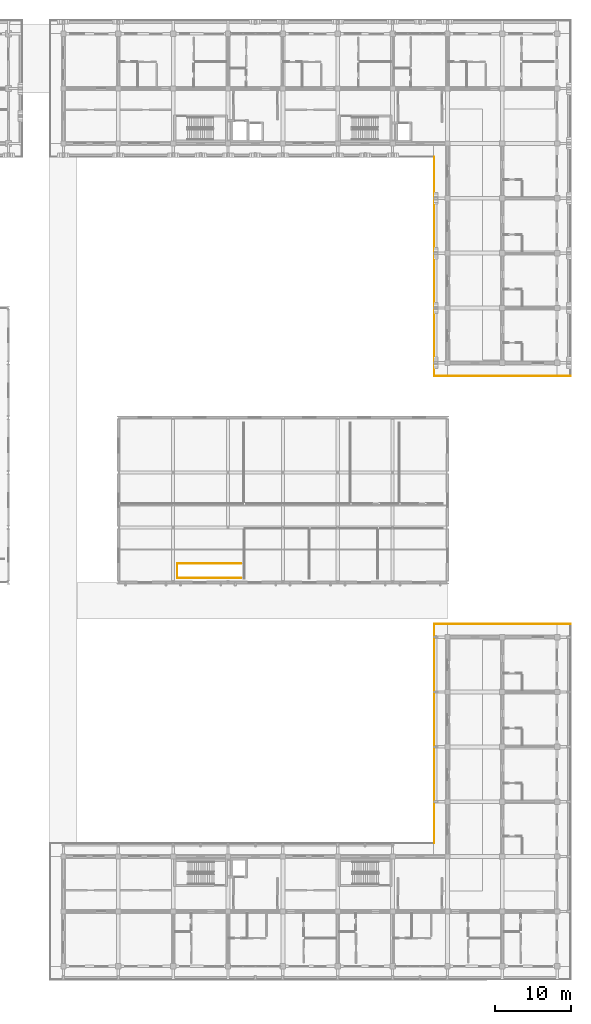
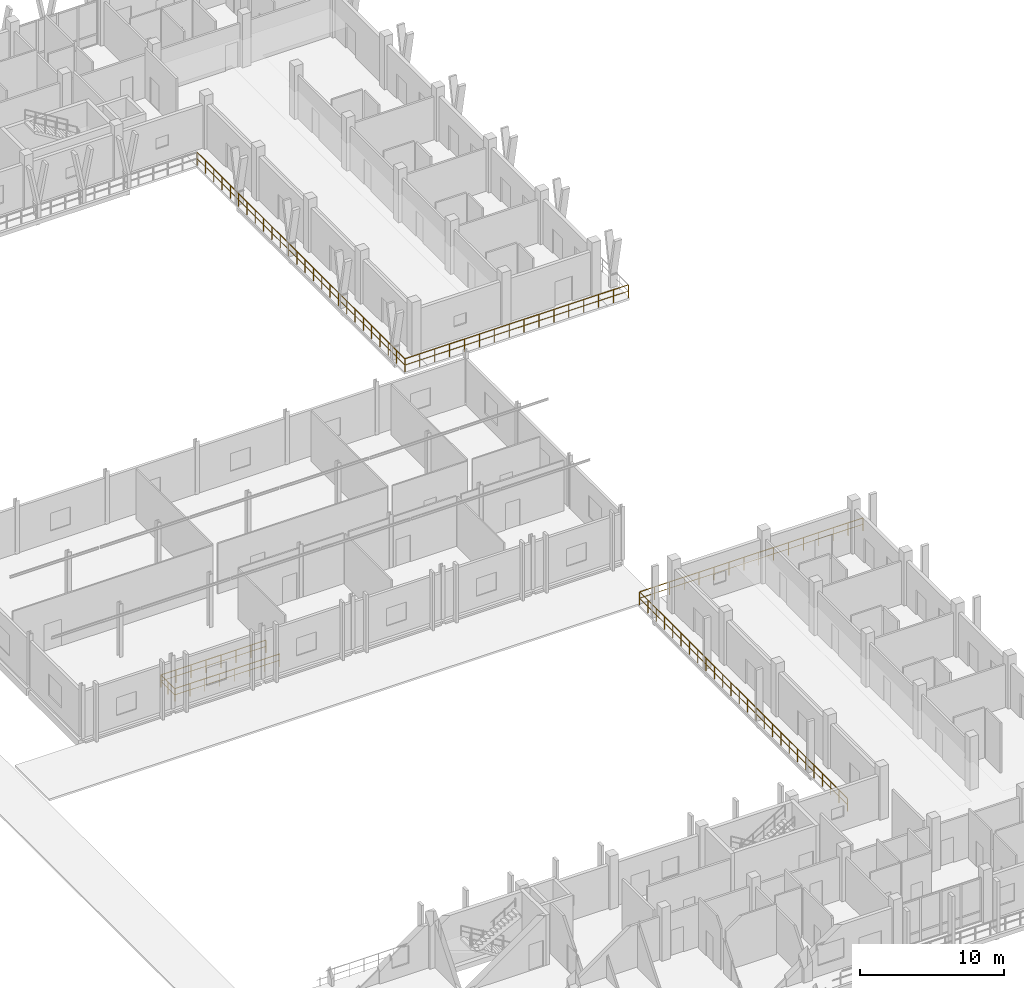
# One storey, part 107 of 110: 7 railings.
"""IFC4 building model written with IfcOpenShell, lengths in metres."""

from ifc_helpers import new_model, si_unit, direction, frame, origin, origin_2d, place, context, subcontext, project, spatial, rectangle, extrude, material, type_object, element, save


model = new_model("IFC4")

# Units and contexts
model_context = context("Model", 3, precision=1e-05, world=origin(), true_north=direction((0.0, 1.0)))
body_context = subcontext(model_context, "Body", "Model", "MODEL_VIEW")
ifc_project = project(units=[si_unit("LENGTHUNIT", "METRE"), si_unit("AREAUNIT", "SQUARE_METRE"), si_unit("VOLUMEUNIT", "CUBIC_METRE"), si_unit("PLANEANGLEUNIT", "RADIAN"), si_unit("MASSUNIT", "GRAM", prefix="KILO")], contexts=[model_context])

# Site, building, storey
site_placement = place(None, origin())
site = spatial("IfcSite", under=ifc_project, at=site_placement, CompositionType="ELEMENT")
building_placement = place(site_placement, origin())
building = spatial("IfcBuilding", under=site, at=building_placement, Name="Suanplinth Sawtooth Commons", CompositionType="ELEMENT")
storey_placement = place(building_placement, frame((0.0, 0.0, 4.5)))
storey = spatial("IfcBuildingStorey", under=building, at=storey_placement, Name="L01", CompositionType="ELEMENT", Elevation=4.5)

# Railings
ifc_material_1 = material(Name="Powder-coated galvanized steel", Category="steel")
railing_type_1 = type_object("IfcRailingType", Name="GR-01", PredefinedType="BALUSTRADE", material=ifc_material_1)
railing_1_placement = place(storey_placement, frame((171.06005859375, 77.4599609375, 0.0)))
element("IfcRailing", 1, at=railing_1_placement, inside=storey, type_object=railing_type_1, Name="L01 Block B Perimeter Balustrade 1", PredefinedType="BALUSTRADE", context=body_context, shape_type="SweptSolid", body=[
    extrude(rectangle(XDim=0.048095703125, YDim=0.048095703125, at=origin_2d()), frame((0.0, 0.0, 1.09619140625), z_axis=(0.0, 1.0, 0.0), x_axis=(-1.0, 0.0, 0.0)), (0.0, 0.0, 1.0), 28.800048828125),
    extrude(rectangle(XDim=0.03369140625, YDim=0.03369140625, at=origin_2d()), frame((0.0, 0.0, 0.56005859375), z_axis=(0.0, 1.0, 0.0), x_axis=(-1.0, 0.0, 0.0)), (0.0, 0.0, 1.0), 28.800048828125),
    extrude(rectangle(XDim=0.0419921875, YDim=0.0419921875, at=origin_2d()), origin(), (0.0, 0.0, 1.0), 1.072021484375),
    extrude(rectangle(XDim=0.0419921875, YDim=0.0419921875, at=origin_2d()), frame((0.0, 1.152099609375, 0.0)), (0.0, 0.0, 1.0), 1.072021484375),
    extrude(rectangle(XDim=0.0419921875, YDim=0.0419921875, at=origin_2d()), frame((0.0, 2.303955078125, 0.0)), (0.0, 0.0, 1.0), 1.072021484375),
    extrude(rectangle(XDim=0.0419921875, YDim=0.0419921875, at=origin_2d()), frame((0.0, 3.4560546875, 0.0)), (0.0, 0.0, 1.0), 1.072021484375),
    extrude(rectangle(XDim=0.0419921875, YDim=0.0419921875, at=origin_2d()), frame((0.0, 4.60791015625, 0.0)), (0.0, 0.0, 1.0), 1.072021484375),
    extrude(rectangle(XDim=0.0419921875, YDim=0.0419921875, at=origin_2d()), frame((0.0, 5.760009765625, 0.0)), (0.0, 0.0, 1.0), 1.072021484375),
    extrude(rectangle(XDim=0.0419921875, YDim=0.0419921875, at=origin_2d()), frame((0.0, 6.912109375, 0.0)), (0.0, 0.0, 1.0), 1.072021484375),
    extrude(rectangle(XDim=0.0419921875, YDim=0.0419921875, at=origin_2d()), frame((0.0, 8.06396484375, 0.0)), (0.0, 0.0, 1.0), 1.072021484375),
    extrude(rectangle(XDim=0.0419921875, YDim=0.0419921875, at=origin_2d()), frame((0.0, 9.216064453125, 0.0)), (0.0, 0.0, 1.0), 1.072021484375),
    extrude(rectangle(XDim=0.0419921875, YDim=0.0419921875, at=origin_2d()), frame((0.0, 10.367919921875, 0.0)), (0.0, 0.0, 1.0), 1.072021484375),
    extrude(rectangle(XDim=0.0419921875, YDim=0.0419921875, at=origin_2d()), frame((0.0, 11.52001953125, 0.0)), (0.0, 0.0, 1.0), 1.072021484375),
    extrude(rectangle(XDim=0.0419921875, YDim=0.0419921875, at=origin_2d()), frame((0.0, 12.672119140625, 0.0)), (0.0, 0.0, 1.0), 1.072021484375),
    extrude(rectangle(XDim=0.0419921875, YDim=0.0419921875, at=origin_2d()), frame((0.0, 13.823974609375, 0.0)), (0.0, 0.0, 1.0), 1.072021484375),
    extrude(rectangle(XDim=0.0419921875, YDim=0.0419921875, at=origin_2d()), frame((0.0, 14.97607421875, 0.0)), (0.0, 0.0, 1.0), 1.072021484375),
    extrude(rectangle(XDim=0.0419921875, YDim=0.0419921875, at=origin_2d()), frame((0.0, 16.1279296875, 0.0)), (0.0, 0.0, 1.0), 1.072021484375),
    extrude(rectangle(XDim=0.0419921875, YDim=0.0419921875, at=origin_2d()), frame((0.0, 17.280029296875, 0.0)), (0.0, 0.0, 1.0), 1.072021484375),
    extrude(rectangle(XDim=0.0419921875, YDim=0.0419921875, at=origin_2d()), frame((0.0, 18.43212890625, 0.0)), (0.0, 0.0, 1.0), 1.072021484375),
    extrude(rectangle(XDim=0.0419921875, YDim=0.0419921875, at=origin_2d()), frame((0.0, 19.583984375, 0.0)), (0.0, 0.0, 1.0), 1.072021484375),
    extrude(rectangle(XDim=0.0419921875, YDim=0.0419921875, at=origin_2d()), frame((0.0, 20.736083984375, 0.0)), (0.0, 0.0, 1.0), 1.072021484375),
    extrude(rectangle(XDim=0.0419921875, YDim=0.0419921875, at=origin_2d()), frame((0.0, 21.887939453125, 0.0)), (0.0, 0.0, 1.0), 1.072021484375),
    extrude(rectangle(XDim=0.0419921875, YDim=0.0419921875, at=origin_2d()), frame((0.0, 23.0400390625, 0.0)), (0.0, 0.0, 1.0), 1.072021484375),
    extrude(rectangle(XDim=0.0419921875, YDim=0.0419921875, at=origin_2d()), frame((0.0, 24.192138671875, 0.0)), (0.0, 0.0, 1.0), 1.072021484375),
    extrude(rectangle(XDim=0.0419921875, YDim=0.0419921875, at=origin_2d()), frame((0.0, 25.343994140625, 0.0)), (0.0, 0.0, 1.0), 1.072021484375),
    extrude(rectangle(XDim=0.0419921875, YDim=0.0419921875, at=origin_2d()), frame((0.0, 26.49609375, 0.0)), (0.0, 0.0, 1.0), 1.072021484375),
    extrude(rectangle(XDim=0.0419921875, YDim=0.0419921875, at=origin_2d()), frame((0.0, 27.64794921875, 0.0)), (0.0, 0.0, 1.0), 1.072021484375),
    extrude(rectangle(XDim=0.0419921875, YDim=0.0419921875, at=origin_2d()), frame((0.0, 28.800048828125, 0.0)), (0.0, 0.0, 1.0), 1.072021484375),
])
railing_2_placement = place(storey_placement, frame((188.93994140625, 77.4599609375, 0.0)))
element("IfcRailing", 2, at=railing_2_placement, inside=storey, type_object=railing_type_1, Name="L01 Block B Perimeter Balustrade 6", PredefinedType="BALUSTRADE", context=body_context, shape_type="SweptSolid", body=[
    extrude(rectangle(XDim=0.048095703125, YDim=0.048095703125, at=origin_2d()), frame((0.0, 0.0, 1.09619140625), z_axis=(-1.0, 0.0, 0.0), x_axis=(0.0, -1.0, 0.0)), (0.0, 0.0, 1.0), 17.8798828125),
    extrude(rectangle(XDim=0.03369140625, YDim=0.03369140625, at=origin_2d()), frame((0.0, 0.0, 0.56005859375), z_axis=(-1.0, 0.0, 0.0), x_axis=(0.0, -1.0, 0.0)), (0.0, 0.0, 1.0), 17.8798828125),
    extrude(rectangle(XDim=0.0419921875, YDim=0.0419921875, at=origin_2d()), origin(), (0.0, 0.0, 1.0), 1.072021484375),
    extrude(rectangle(XDim=0.0419921875, YDim=0.0419921875, at=origin_2d()), frame((-1.19189453125, 0.0, 0.0)), (0.0, 0.0, 1.0), 1.072021484375),
    extrude(rectangle(XDim=0.0419921875, YDim=0.0419921875, at=origin_2d()), frame((-2.384033203125, 0.0, 0.0)), (0.0, 0.0, 1.0), 1.072021484375),
    extrude(rectangle(XDim=0.0419921875, YDim=0.0419921875, at=origin_2d()), frame((-3.575927734375, 0.0, 0.0)), (0.0, 0.0, 1.0), 1.072021484375),
    extrude(rectangle(XDim=0.0419921875, YDim=0.0419921875, at=origin_2d()), frame((-4.76806640625, 0.0, 0.0)), (0.0, 0.0, 1.0), 1.072021484375),
    extrude(rectangle(XDim=0.0419921875, YDim=0.0419921875, at=origin_2d()), frame((-5.9599609375, 0.0, 0.0)), (0.0, 0.0, 1.0), 1.072021484375),
    extrude(rectangle(XDim=0.0419921875, YDim=0.0419921875, at=origin_2d()), frame((-7.15185546875, 0.0, 0.0)), (0.0, 0.0, 1.0), 1.072021484375),
    extrude(rectangle(XDim=0.0419921875, YDim=0.0419921875, at=origin_2d()), frame((-8.343994140625, 0.0, 0.0)), (0.0, 0.0, 1.0), 1.072021484375),
    extrude(rectangle(XDim=0.0419921875, YDim=0.0419921875, at=origin_2d()), frame((-9.535888671875, 0.0, 0.0)), (0.0, 0.0, 1.0), 1.072021484375),
    extrude(rectangle(XDim=0.0419921875, YDim=0.0419921875, at=origin_2d()), frame((-10.72802734375, 0.0, 0.0)), (0.0, 0.0, 1.0), 1.072021484375),
    extrude(rectangle(XDim=0.0419921875, YDim=0.0419921875, at=origin_2d()), frame((-11.919921875, 0.0, 0.0)), (0.0, 0.0, 1.0), 1.072021484375),
    extrude(rectangle(XDim=0.0419921875, YDim=0.0419921875, at=origin_2d()), frame((-13.11181640625, 0.0, 0.0)), (0.0, 0.0, 1.0), 1.072021484375),
    extrude(rectangle(XDim=0.0419921875, YDim=0.0419921875, at=origin_2d()), frame((-14.303955078125, 0.0, 0.0)), (0.0, 0.0, 1.0), 1.072021484375),
    extrude(rectangle(XDim=0.0419921875, YDim=0.0419921875, at=origin_2d()), frame((-15.495849609375, 0.0, 0.0)), (0.0, 0.0, 1.0), 1.072021484375),
    extrude(rectangle(XDim=0.0419921875, YDim=0.0419921875, at=origin_2d()), frame((-16.68798828125, 0.0, 0.0)), (0.0, 0.0, 1.0), 1.072021484375),
    extrude(rectangle(XDim=0.0419921875, YDim=0.0419921875, at=origin_2d()), frame((-17.8798828125, 0.0, 0.0)), (0.0, 0.0, 1.0), 1.072021484375),
])
railing_3_placement = place(storey_placement, frame((171.06005859375, 16.139892578125, 0.0)))
element("IfcRailing", 3, at=railing_3_placement, inside=storey, type_object=railing_type_1, Name="L01 Block C Perimeter Balustrade 3", PredefinedType="BALUSTRADE", context=body_context, shape_type="SweptSolid", body=[
    extrude(rectangle(XDim=0.048095703125, YDim=0.048095703125, at=origin_2d()), frame((0.0, 0.0, 1.09619140625), z_axis=(0.0, 1.0, 0.0), x_axis=(-1.0, 0.0, 0.0)), (0.0, 0.0, 1.0), 28.800048828125),
    extrude(rectangle(XDim=0.03369140625, YDim=0.03369140625, at=origin_2d()), frame((0.0, 0.0, 0.56005859375), z_axis=(0.0, 1.0, 0.0), x_axis=(-1.0, 0.0, 0.0)), (0.0, 0.0, 1.0), 28.800048828125),
    extrude(rectangle(XDim=0.0419921875, YDim=0.0419921875, at=origin_2d()), origin(), (0.0, 0.0, 1.0), 1.072021484375),
    extrude(rectangle(XDim=0.0419921875, YDim=0.0419921875, at=origin_2d()), frame((0.0, 1.152099609375, 0.0)), (0.0, 0.0, 1.0), 1.072021484375),
    extrude(rectangle(XDim=0.0419921875, YDim=0.0419921875, at=origin_2d()), frame((0.0, 2.303955078125, 0.0)), (0.0, 0.0, 1.0), 1.072021484375),
    extrude(rectangle(XDim=0.0419921875, YDim=0.0419921875, at=origin_2d()), frame((0.0, 3.4560546875, 0.0)), (0.0, 0.0, 1.0), 1.072021484375),
    extrude(rectangle(XDim=0.0419921875, YDim=0.0419921875, at=origin_2d()), frame((0.0, 4.60791015625, 0.0)), (0.0, 0.0, 1.0), 1.072021484375),
    extrude(rectangle(XDim=0.0419921875, YDim=0.0419921875, at=origin_2d()), frame((0.0, 5.760009765625, 0.0)), (0.0, 0.0, 1.0), 1.072021484375),
    extrude(rectangle(XDim=0.0419921875, YDim=0.0419921875, at=origin_2d()), frame((0.0, 6.912109375, 0.0)), (0.0, 0.0, 1.0), 1.072021484375),
    extrude(rectangle(XDim=0.0419921875, YDim=0.0419921875, at=origin_2d()), frame((0.0, 8.06396484375, 0.0)), (0.0, 0.0, 1.0), 1.072021484375),
    extrude(rectangle(XDim=0.0419921875, YDim=0.0419921875, at=origin_2d()), frame((0.0, 9.216064453125, 0.0)), (0.0, 0.0, 1.0), 1.072021484375),
    extrude(rectangle(XDim=0.0419921875, YDim=0.0419921875, at=origin_2d()), frame((0.0, 10.367919921875, 0.0)), (0.0, 0.0, 1.0), 1.072021484375),
    extrude(rectangle(XDim=0.0419921875, YDim=0.0419921875, at=origin_2d()), frame((0.0, 11.52001953125, 0.0)), (0.0, 0.0, 1.0), 1.072021484375),
    extrude(rectangle(XDim=0.0419921875, YDim=0.0419921875, at=origin_2d()), frame((0.0, 12.672119140625, 0.0)), (0.0, 0.0, 1.0), 1.072021484375),
    extrude(rectangle(XDim=0.0419921875, YDim=0.0419921875, at=origin_2d()), frame((0.0, 13.823974609375, 0.0)), (0.0, 0.0, 1.0), 1.072021484375),
    extrude(rectangle(XDim=0.0419921875, YDim=0.0419921875, at=origin_2d()), frame((0.0, 14.97607421875, 0.0)), (0.0, 0.0, 1.0), 1.072021484375),
    extrude(rectangle(XDim=0.0419921875, YDim=0.0419921875, at=origin_2d()), frame((0.0, 16.1279296875, 0.0)), (0.0, 0.0, 1.0), 1.072021484375),
    extrude(rectangle(XDim=0.0419921875, YDim=0.0419921875, at=origin_2d()), frame((0.0, 17.280029296875, 0.0)), (0.0, 0.0, 1.0), 1.072021484375),
    extrude(rectangle(XDim=0.0419921875, YDim=0.0419921875, at=origin_2d()), frame((0.0, 18.43212890625, 0.0)), (0.0, 0.0, 1.0), 1.072021484375),
    extrude(rectangle(XDim=0.0419921875, YDim=0.0419921875, at=origin_2d()), frame((0.0, 19.583984375, 0.0)), (0.0, 0.0, 1.0), 1.072021484375),
    extrude(rectangle(XDim=0.0419921875, YDim=0.0419921875, at=origin_2d()), frame((0.0, 20.736083984375, 0.0)), (0.0, 0.0, 1.0), 1.072021484375),
    extrude(rectangle(XDim=0.0419921875, YDim=0.0419921875, at=origin_2d()), frame((0.0, 21.887939453125, 0.0)), (0.0, 0.0, 1.0), 1.072021484375),
    extrude(rectangle(XDim=0.0419921875, YDim=0.0419921875, at=origin_2d()), frame((0.0, 23.0400390625, 0.0)), (0.0, 0.0, 1.0), 1.072021484375),
    extrude(rectangle(XDim=0.0419921875, YDim=0.0419921875, at=origin_2d()), frame((0.0, 24.192138671875, 0.0)), (0.0, 0.0, 1.0), 1.072021484375),
    extrude(rectangle(XDim=0.0419921875, YDim=0.0419921875, at=origin_2d()), frame((0.0, 25.343994140625, 0.0)), (0.0, 0.0, 1.0), 1.072021484375),
    extrude(rectangle(XDim=0.0419921875, YDim=0.0419921875, at=origin_2d()), frame((0.0, 26.49609375, 0.0)), (0.0, 0.0, 1.0), 1.072021484375),
    extrude(rectangle(XDim=0.0419921875, YDim=0.0419921875, at=origin_2d()), frame((0.0, 27.64794921875, 0.0)), (0.0, 0.0, 1.0), 1.072021484375),
    extrude(rectangle(XDim=0.0419921875, YDim=0.0419921875, at=origin_2d()), frame((0.0, 28.800048828125, 0.0)), (0.0, 0.0, 1.0), 1.072021484375),
])
railing_4_placement = place(storey_placement, frame((171.06005859375, 44.93994140625, 0.0)))
element("IfcRailing", 4, at=railing_4_placement, inside=storey, type_object=railing_type_1, Name="L01 Block C Perimeter Balustrade 4", PredefinedType="BALUSTRADE", context=body_context, shape_type="SweptSolid", body=[
    extrude(rectangle(XDim=0.048095703125, YDim=0.048095703125, at=origin_2d()), frame((0.0, 0.0, 1.09619140625), z_axis=(1.0, 0.0, 0.0), x_axis=(0.0, 1.0, 0.0)), (0.0, 0.0, 1.0), 17.8798828125),
    extrude(rectangle(XDim=0.03369140625, YDim=0.03369140625, at=origin_2d()), frame((0.0, 0.0, 0.56005859375), z_axis=(1.0, 0.0, 0.0), x_axis=(0.0, 1.0, 0.0)), (0.0, 0.0, 1.0), 17.8798828125),
    extrude(rectangle(XDim=0.0419921875, YDim=0.0419921875, at=origin_2d()), origin(), (0.0, 0.0, 1.0), 1.072021484375),
    extrude(rectangle(XDim=0.0419921875, YDim=0.0419921875, at=origin_2d()), frame((1.19189453125, 0.0, 0.0)), (0.0, 0.0, 1.0), 1.072021484375),
    extrude(rectangle(XDim=0.0419921875, YDim=0.0419921875, at=origin_2d()), frame((2.384033203125, 0.0, 0.0)), (0.0, 0.0, 1.0), 1.072021484375),
    extrude(rectangle(XDim=0.0419921875, YDim=0.0419921875, at=origin_2d()), frame((3.575927734375, 0.0, 0.0)), (0.0, 0.0, 1.0), 1.072021484375),
    extrude(rectangle(XDim=0.0419921875, YDim=0.0419921875, at=origin_2d()), frame((4.76806640625, 0.0, 0.0)), (0.0, 0.0, 1.0), 1.072021484375),
    extrude(rectangle(XDim=0.0419921875, YDim=0.0419921875, at=origin_2d()), frame((5.9599609375, 0.0, 0.0)), (0.0, 0.0, 1.0), 1.072021484375),
    extrude(rectangle(XDim=0.0419921875, YDim=0.0419921875, at=origin_2d()), frame((7.15185546875, 0.0, 0.0)), (0.0, 0.0, 1.0), 1.072021484375),
    extrude(rectangle(XDim=0.0419921875, YDim=0.0419921875, at=origin_2d()), frame((8.343994140625, 0.0, 0.0)), (0.0, 0.0, 1.0), 1.072021484375),
    extrude(rectangle(XDim=0.0419921875, YDim=0.0419921875, at=origin_2d()), frame((9.535888671875, 0.0, 0.0)), (0.0, 0.0, 1.0), 1.072021484375),
    extrude(rectangle(XDim=0.0419921875, YDim=0.0419921875, at=origin_2d()), frame((10.72802734375, 0.0, 0.0)), (0.0, 0.0, 1.0), 1.072021484375),
    extrude(rectangle(XDim=0.0419921875, YDim=0.0419921875, at=origin_2d()), frame((11.919921875, 0.0, 0.0)), (0.0, 0.0, 1.0), 1.072021484375),
    extrude(rectangle(XDim=0.0419921875, YDim=0.0419921875, at=origin_2d()), frame((13.11181640625, 0.0, 0.0)), (0.0, 0.0, 1.0), 1.072021484375),
    extrude(rectangle(XDim=0.0419921875, YDim=0.0419921875, at=origin_2d()), frame((14.303955078125, 0.0, 0.0)), (0.0, 0.0, 1.0), 1.072021484375),
    extrude(rectangle(XDim=0.0419921875, YDim=0.0419921875, at=origin_2d()), frame((15.495849609375, 0.0, 0.0)), (0.0, 0.0, 1.0), 1.072021484375),
    extrude(rectangle(XDim=0.0419921875, YDim=0.0419921875, at=origin_2d()), frame((16.68798828125, 0.0, 0.0)), (0.0, 0.0, 1.0), 1.072021484375),
    extrude(rectangle(XDim=0.0419921875, YDim=0.0419921875, at=origin_2d()), frame((17.8798828125, 0.0, 0.0)), (0.0, 0.0, 1.0), 1.072021484375),
])
ifc_material_2 = material(Name="Stainless steel Grade 304", Category="steel")
railing_type_2 = type_object("IfcRailingType", Name="GR-04", PredefinedType="GUARDRAIL", material=ifc_material_2)
railing_5_placement = place(storey_placement, frame((145.739990234375, 50.93994140625, 0.0)))
element("IfcRailing", 5, at=railing_5_placement, inside=storey, type_object=railing_type_2, Name="L01 Well Guard East Nursery Pavilion Feature Stair 1", PredefinedType="GUARDRAIL", context=body_context, shape_type="SweptSolid", body=[
    extrude(rectangle(XDim=0.048095703125, YDim=0.048095703125, at=origin_2d()), frame((0.0, 0.0, 1.076171875), z_axis=(-1.0, 0.0, 0.0), x_axis=(0.0, -1.0, 0.0)), (0.0, 0.0, 1.0), 8.39990234375),
    extrude(rectangle(XDim=0.03369140625, YDim=0.03369140625, at=origin_2d()), frame((0.0, 0.0, 0.550048828125), z_axis=(-1.0, 0.0, 0.0), x_axis=(0.0, -1.0, 0.0)), (0.0, 0.0, 1.0), 8.39990234375),
    extrude(rectangle(XDim=0.0419921875, YDim=0.0419921875, at=origin_2d()), origin(), (0.0, 0.0, 1.0), 1.052001953125),
    extrude(rectangle(XDim=0.0419921875, YDim=0.0419921875, at=origin_2d()), frame((-1.199951171875, 0.0, 0.0)), (0.0, 0.0, 1.0), 1.052001953125),
    extrude(rectangle(XDim=0.0419921875, YDim=0.0419921875, at=origin_2d()), frame((-2.39990234375, 0.0, 0.0)), (0.0, 0.0, 1.0), 1.052001953125),
    extrude(rectangle(XDim=0.0419921875, YDim=0.0419921875, at=origin_2d()), frame((-3.599853515625, 0.0, 0.0)), (0.0, 0.0, 1.0), 1.052001953125),
    extrude(rectangle(XDim=0.0419921875, YDim=0.0419921875, at=origin_2d()), frame((-4.800048828125, 0.0, 0.0)), (0.0, 0.0, 1.0), 1.052001953125),
    extrude(rectangle(XDim=0.0419921875, YDim=0.0419921875, at=origin_2d()), frame((-6.0, 0.0, 0.0)), (0.0, 0.0, 1.0), 1.052001953125),
    extrude(rectangle(XDim=0.0419921875, YDim=0.0419921875, at=origin_2d()), frame((-7.199951171875, 0.0, 0.0)), (0.0, 0.0, 1.0), 1.052001953125),
    extrude(rectangle(XDim=0.0419921875, YDim=0.0419921875, at=origin_2d()), frame((-8.39990234375, 0.0, 0.0)), (0.0, 0.0, 1.0), 1.052001953125),
])
railing_6_placement = place(storey_placement, frame((137.340087890625, 50.93994140625, 0.0)))
element("IfcRailing", 6, at=railing_6_placement, inside=storey, type_object=railing_type_2, Name="L01 Well Guard East Nursery Pavilion Feature Stair 2", PredefinedType="GUARDRAIL", context=body_context, shape_type="SweptSolid", body=[
    extrude(rectangle(XDim=0.048095703125, YDim=0.048095703125, at=origin_2d()), frame((0.0, 0.0, 1.076171875), z_axis=(0.0, 1.0, 0.0), x_axis=(-1.0, 0.0, 0.0)), (0.0, 0.0, 1.0), 1.920166015625),
    extrude(rectangle(XDim=0.03369140625, YDim=0.03369140625, at=origin_2d()), frame((0.0, 0.0, 0.550048828125), z_axis=(0.0, 1.0, 0.0), x_axis=(-1.0, 0.0, 0.0)), (0.0, 0.0, 1.0), 1.920166015625),
    extrude(rectangle(XDim=0.0419921875, YDim=0.0419921875, at=origin_2d()), origin(), (0.0, 0.0, 1.0), 1.052001953125),
    extrude(rectangle(XDim=0.0419921875, YDim=0.0419921875, at=origin_2d()), frame((0.0, 0.9599609375, 0.0)), (0.0, 0.0, 1.0), 1.052001953125),
    extrude(rectangle(XDim=0.0419921875, YDim=0.0419921875, at=origin_2d()), frame((0.0, 1.920166015625, 0.0)), (0.0, 0.0, 1.0), 1.052001953125),
])
railing_7_placement = place(storey_placement, frame((137.340087890625, 52.860107421875, 0.0)))
element("IfcRailing", 7, at=railing_7_placement, inside=storey, type_object=railing_type_2, Name="L01 Well Guard East Nursery Pavilion Feature Stair 3", PredefinedType="GUARDRAIL", context=body_context, shape_type="SweptSolid", body=[
    extrude(rectangle(XDim=0.048095703125, YDim=0.048095703125, at=origin_2d()), frame((0.0, 0.0, 1.076171875), z_axis=(1.0, 0.0, 0.0), x_axis=(0.0, 1.0, 0.0)), (0.0, 0.0, 1.0), 8.39990234375),
    extrude(rectangle(XDim=0.03369140625, YDim=0.03369140625, at=origin_2d()), frame((0.0, 0.0, 0.550048828125), z_axis=(1.0, 0.0, 0.0), x_axis=(0.0, 1.0, 0.0)), (0.0, 0.0, 1.0), 8.39990234375),
    extrude(rectangle(XDim=0.0419921875, YDim=0.0419921875, at=origin_2d()), origin(), (0.0, 0.0, 1.0), 1.052001953125),
    extrude(rectangle(XDim=0.0419921875, YDim=0.0419921875, at=origin_2d()), frame((1.199951171875, 0.0, 0.0)), (0.0, 0.0, 1.0), 1.052001953125),
    extrude(rectangle(XDim=0.0419921875, YDim=0.0419921875, at=origin_2d()), frame((2.39990234375, 0.0, 0.0)), (0.0, 0.0, 1.0), 1.052001953125),
    extrude(rectangle(XDim=0.0419921875, YDim=0.0419921875, at=origin_2d()), frame((3.599853515625, 0.0, 0.0)), (0.0, 0.0, 1.0), 1.052001953125),
    extrude(rectangle(XDim=0.0419921875, YDim=0.0419921875, at=origin_2d()), frame((4.800048828125, 0.0, 0.0)), (0.0, 0.0, 1.0), 1.052001953125),
    extrude(rectangle(XDim=0.0419921875, YDim=0.0419921875, at=origin_2d()), frame((6.0, 0.0, 0.0)), (0.0, 0.0, 1.0), 1.052001953125),
    extrude(rectangle(XDim=0.0419921875, YDim=0.0419921875, at=origin_2d()), frame((7.199951171875, 0.0, 0.0)), (0.0, 0.0, 1.0), 1.052001953125),
    extrude(rectangle(XDim=0.0419921875, YDim=0.0419921875, at=origin_2d()), frame((8.39990234375, 0.0, 0.0)), (0.0, 0.0, 1.0), 1.052001953125),
])

save(model, "model.ifc")
